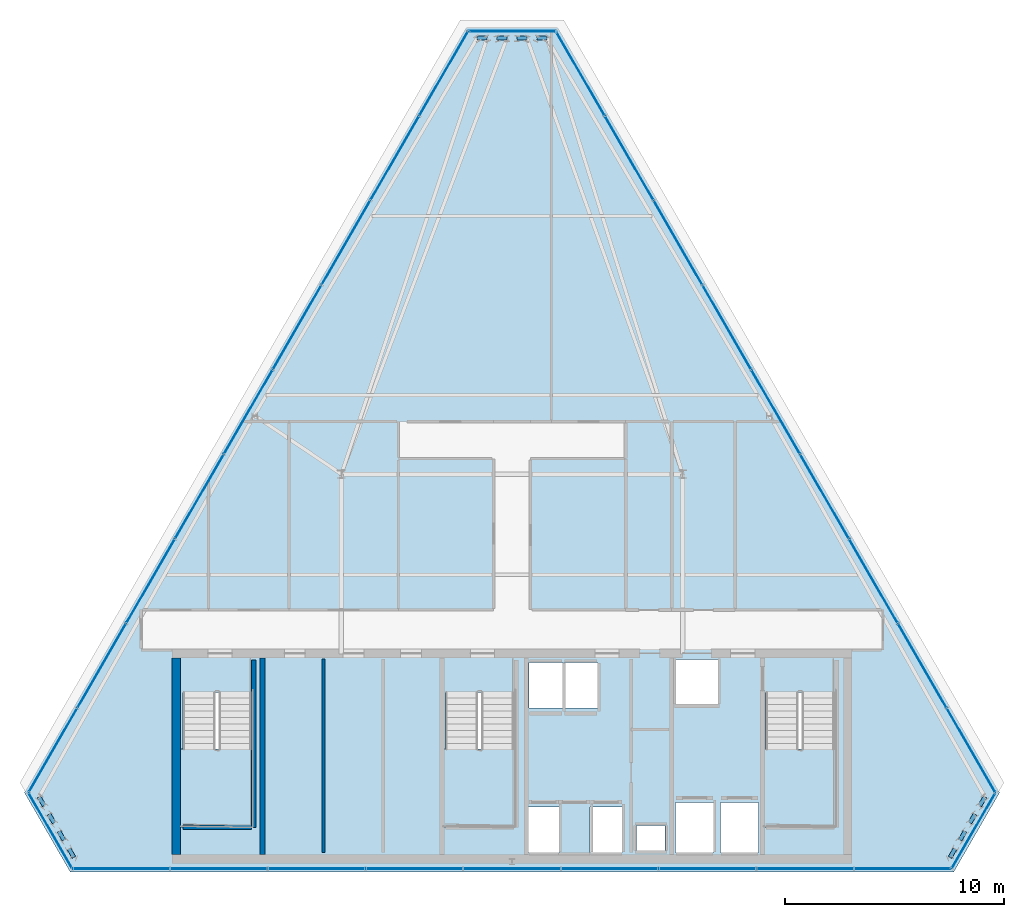
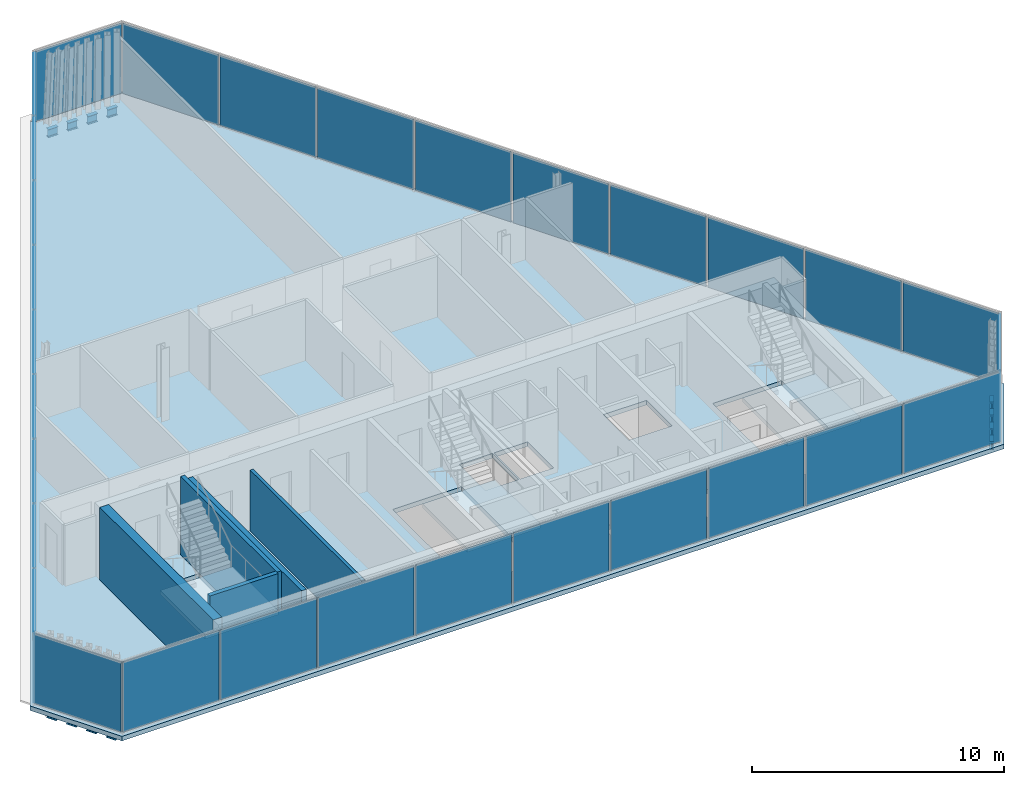
# One storey, part 26 of 32: 30 plates, 12 beams, 5 walls, 4 slabs, 9 elements without a shape of their own.
"""IFC4 building model written with IfcOpenShell, lengths in metres."""

from ifc_helpers import new_model, si_unit, direction, frame, frame_2d, origin, origin_2d, place, context, subcontext, project, spatial, polyline, rectangle, i_section, outline, extrude, material, layer, layer_set, material_profile, profile_set, type_object, element, aggregate, save


model = new_model("IFC4")

# Units and contexts
model_context = context("Model", 3, precision=1e-05, world=origin(), true_north=direction((0.0, 1.0)))
body_context = subcontext(model_context, "Body", "Model", "MODEL_VIEW")
ifc_project = project(units=[si_unit("LENGTHUNIT", "METRE"), si_unit("AREAUNIT", "SQUARE_METRE"), si_unit("VOLUMEUNIT", "CUBIC_METRE"), si_unit("PLANEANGLEUNIT", "RADIAN"), si_unit("MASSUNIT", "GRAM", prefix="KILO")], contexts=[model_context])

# Site, building, storey
site_placement = place(None, origin())
site = spatial("IfcSite", under=ifc_project, at=site_placement, CompositionType="ELEMENT")
building_placement = place(site_placement, origin())
building = spatial("IfcBuilding", under=site, at=building_placement, Name="Ndaravel Arena Tower", CompositionType="ELEMENT")
storey_placement = place(building_placement, frame((0.0, 0.0, 294.699951171875)))
storey = spatial("IfcBuildingStorey", under=building, at=storey_placement, Name="L72", CompositionType="ELEMENT", Elevation=294.699951171875)

# Beams
ifc_material_1 = material(Name="Steel S355", Category="steel")
ifc_material_profile = material_profile(ifc_material_1, i_section(OverallWidth=0.179931640625, OverallDepth=0.39990234375, WebThickness=0.008544921875, FlangeThickness=0.013427734375, FilletRadius=0.02099609375, at=origin_2d()), Name="IPE 400")
ifc_profile_set = profile_set([ifc_material_profile], Name="Steel S355")
beam_type = type_object("IfcBeamType", Name="BM-SPAN-IPE400", PredefinedType="SPANDREL", material=ifc_profile_set)
for number, where, z_axis, x_axis, name in (
    (1, (62.026611328125, 5.67724609375, -0.419921875), (0.499598698754, 0.866256971229, 0.0), (-0.866256971229, 0.499598698754, 0.0), "L72 Perimeter Spandrel Beam SP-02"),
    (2, (62.48193359375, 6.46630859375, -0.419921875), (0.500232934139, 0.865890877422, 0.0), (-0.865890877422, 0.500232934139, 0.0), "L72 Perimeter Spandrel Beam SP-04"),
):
    element("IfcBeam", number, at=place(storey_placement, frame(where, z_axis=z_axis, x_axis=x_axis)), inside=storey, type_object=beam_type, Name=name, PredefinedType="SPANDREL", context=body_context, shape_type="SweptSolid", body=[
        extrude(i_section(OverallWidth=0.179931640625, OverallDepth=0.39990234375, WebThickness=0.008544921875, FlangeThickness=0.013427734375, FilletRadius=0.02099609375, at=origin_2d()), origin(), (0.0, 0.0, 1.0), 0.455322265625),
    ])
beam_1_placement = place(storey_placement, frame((62.9375, 7.255126953125, -0.419921875), z_axis=(0.500000789788, 0.8660249478, 0.0), x_axis=(-0.8660249478, 0.500000789788, 0.0)))
element("IfcBeam", 3, at=beam_1_placement, inside=storey, type_object=beam_type, Name="L72 Perimeter Spandrel Beam SP-06", PredefinedType="SPANDREL", context=body_context, shape_type="SweptSolid", body=[
    extrude(i_section(OverallWidth=0.179931640625, OverallDepth=0.39990234375, WebThickness=0.008544921875, FlangeThickness=0.013427734375, FilletRadius=0.02099609375, at=origin_2d()), origin(), (0.0, 0.0, 1.0), 0.45556640625),
])
for number, where, z_axis, x_axis, name in (
    (4, (63.39306640625, 8.044189453125, -0.419921875), (0.499598698754, 0.866256971229, 0.0), (-0.866256971229, 0.499598698754, 0.0), "L72 Perimeter Spandrel Beam SP-08"),
    (5, (43.59423828125, 43.12548828125, -0.419921875), (-1.0, 0.0, 0.0), (0.0, -1.0, 0.0), "L72 Perimeter Spandrel Beam SP-11"),
):
    element("IfcBeam", number, at=place(storey_placement, frame(where, z_axis=z_axis, x_axis=x_axis)), inside=storey, type_object=beam_type, Name=name, PredefinedType="SPANDREL", context=body_context, shape_type="SweptSolid", body=[
        extrude(i_section(OverallWidth=0.179931640625, OverallDepth=0.39990234375, WebThickness=0.008544921875, FlangeThickness=0.013427734375, FilletRadius=0.02099609375, at=origin_2d()), origin(), (0.0, 0.0, 1.0), 0.455322265625),
    ])
for number, where, z_axis, x_axis, name in (
    (6, (42.683349609375, 43.12548828125, -0.419921875), (-1.0, 0.0, 0.0), (0.0, -1.0, 0.0), "L72 Perimeter Spandrel Beam SP-13"),
    (7, (41.772216796875, 43.12548828125, -0.419921875), (-1.0, 0.0, 0.0), (0.0, -1.0, 0.0), "L72 Perimeter Spandrel Beam SP-15"),
):
    element("IfcBeam", number, at=place(storey_placement, frame(where, z_axis=z_axis, x_axis=x_axis)), inside=storey, type_object=beam_type, Name=name, PredefinedType="SPANDREL", context=body_context, shape_type="SweptSolid", body=[
        extrude(i_section(OverallWidth=0.179931640625, OverallDepth=0.39990234375, WebThickness=0.008544921875, FlangeThickness=0.013427734375, FilletRadius=0.02099609375, at=origin_2d()), origin(), (0.0, 0.0, 1.0), 0.45556640625),
    ])
for number, where, z_axis, x_axis, name in (
    (8, (40.861083984375, 43.12548828125, -0.419921875), (-1.0, 0.0, 0.0), (0.0, -1.0, 0.0), "L72 Perimeter Spandrel Beam SP-17"),
    (9, (20.37939453125, 8.438720703125, -0.419921875), (0.499598698754, -0.866256971229, 0.0), (0.866256971229, 0.499598698754, 0.0), "L72 Perimeter Spandrel Beam SP-20"),
):
    element("IfcBeam", number, at=place(storey_placement, frame(where, z_axis=z_axis, x_axis=x_axis)), inside=storey, type_object=beam_type, Name=name, PredefinedType="SPANDREL", context=body_context, shape_type="SweptSolid", body=[
        extrude(i_section(OverallWidth=0.179931640625, OverallDepth=0.39990234375, WebThickness=0.008544921875, FlangeThickness=0.013427734375, FilletRadius=0.02099609375, at=origin_2d()), origin(), (0.0, 0.0, 1.0), 0.455322265625),
    ])
beam_2_placement = place(storey_placement, frame((20.834716796875, 7.649658203125, -0.419921875), z_axis=(0.500000789788, -0.8660249478, 0.0), x_axis=(0.8660249478, 0.500000789788, 0.0)))
element("IfcBeam", 10, at=beam_2_placement, inside=storey, type_object=beam_type, Name="L72 Perimeter Spandrel Beam SP-22", PredefinedType="SPANDREL", context=body_context, shape_type="SweptSolid", body=[
    extrude(i_section(OverallWidth=0.179931640625, OverallDepth=0.39990234375, WebThickness=0.008544921875, FlangeThickness=0.013427734375, FilletRadius=0.02099609375, at=origin_2d()), origin(), (0.0, 0.0, 1.0), 0.45556640625),
])
for number, where, z_axis, x_axis, name in (
    (11, (21.290283203125, 6.860595703125, -0.419921875), (0.500232934139, -0.865890877422, 0.0), (0.865890877422, 0.500232934139, 0.0), "L72 Perimeter Spandrel Beam SP-24"),
    (12, (21.745849609375, 6.07177734375, -0.419921875), (0.499598698754, -0.866256971229, 0.0), (0.866256971229, 0.499598698754, 0.0), "L72 Perimeter Spandrel Beam SP-26"),
):
    element("IfcBeam", number, at=place(storey_placement, frame(where, z_axis=z_axis, x_axis=x_axis)), inside=storey, type_object=beam_type, Name=name, PredefinedType="SPANDREL", context=body_context, shape_type="SweptSolid", body=[
        extrude(i_section(OverallWidth=0.179931640625, OverallDepth=0.39990234375, WebThickness=0.008544921875, FlangeThickness=0.013427734375, FilletRadius=0.02099609375, at=origin_2d()), origin(), (0.0, 0.0, 1.0), 0.455322265625),
    ])

# Curtain wall, plate
ifc_material_2 = material(Name="Aluminium", Category="aluminium")
ifc_layer_1 = layer(ifc_material_2, 0.179931640625)
ifc_layer_set_1 = layer_set([ifc_layer_1], Name="Aluminium")
curtain_wall_type_1 = type_object("IfcCurtainWallType", Name="CW-SYS-01", PredefinedType="NOTDEFINED", material=ifc_layer_set_1)
curtain_wall_1_placement = place(storey_placement, origin())
curtain_wall_1 = element("IfcCurtainWall", 13, at=curtain_wall_1_placement, inside=storey, type_object=curtain_wall_type_1, Name="L72 Faceted Crystal Curtain Wall CW-L72-E02", PredefinedType="NOTDEFINED")
ifc_material_3 = material(Name="Glazing", Category="glass")
ifc_layer_2 = layer(ifc_material_3, 0.031982421875)
ifc_layer_set_2 = layer_set([ifc_layer_2], Name="Glazing")
plate_type_1 = type_object("IfcPlateType", Name="PLT-GLZ-FRIT35", PredefinedType="CURTAIN_PANEL", material=ifc_layer_set_2)
plate_1_placement = place(storey_placement, frame((63.1005859375, 6.89794921875, 0.06005859375), z_axis=(0.0, 0.0, 1.0), x_axis=(0.5, 0.866025403784, 0.0)))
plate_1 = element("IfcPlate", 14, at=plate_1_placement, type_object=plate_type_1, Name="CW-L72-E02 Vision Glass Panel 01", PredefinedType="CURTAIN_PANEL", context=body_context, shape_type="SweptSolid", body=[
    extrude(rectangle(XDim=3.93359375, YDim=0.035888671875, at=origin_2d()), origin(), (0.0, 0.0, 1.0), 3.39990234375),
])
aggregate(curtain_wall_1, [plate_1])

curtain_wall_2_placement = place(storey_placement, origin())
curtain_wall_2 = element("IfcCurtainWall", 15, at=curtain_wall_2_placement, inside=storey, type_object=curtain_wall_type_1, Name="L72 Faceted Crystal Curtain Wall CW-L72-E04", PredefinedType="NOTDEFINED")
plate_2_placement = place(storey_placement, frame((42.0, 43.445556640625, 0.06005859375), z_axis=(0.0, 0.0, 1.0), x_axis=(-1.0, 0.0, 0.0)))
plate_2 = element("IfcPlate", 16, at=plate_2_placement, type_object=plate_type_1, Name="CW-L72-E04 Vision Glass Panel 01", PredefinedType="CURTAIN_PANEL", context=body_context, shape_type="SweptSolid", body=[
    extrude(rectangle(XDim=3.93359375, YDim=0.035888671875, at=origin_2d()), origin(), (0.0, 0.0, 1.0), 3.39990234375),
])
aggregate(curtain_wall_2, [plate_2])

ifc_material_4 = material(Name="Aluminium", Category="aluminium")
ifc_layer_3 = layer(ifc_material_4, 0.179931640625)
ifc_layer_set_3 = layer_set([ifc_layer_3], Name="Aluminium")
curtain_wall_type_2 = type_object("IfcCurtainWallType", Name="CW-SYS-02", PredefinedType="NOTDEFINED", material=ifc_layer_set_3)
curtain_wall_3_placement = place(storey_placement, origin())
curtain_wall_3 = element("IfcCurtainWall", 17, at=curtain_wall_3_placement, inside=storey, type_object=curtain_wall_type_2, Name="L72 Faceted Crystal Curtain Wall CW-L72-E06", PredefinedType="NOTDEFINED")
ifc_material_5 = material(Name="Glazing", Category="glass")
ifc_layer_4 = layer(ifc_material_5, 0.035888671875)
ifc_layer_set_4 = layer_set([ifc_layer_4], Name="Glazing")
plate_type_2 = type_object("IfcPlateType", Name="PLT-GLZ-FRIT55", PredefinedType="CURTAIN_PANEL", material=ifc_layer_set_4)
plate_3_placement = place(storey_placement, frame((20.8994140625, 6.89794921875, 0.06005859375), z_axis=(0.0, 0.0, 1.0), x_axis=(0.5, -0.866025403784, 0.0)))
plate_3 = element("IfcPlate", 18, at=plate_3_placement, type_object=plate_type_2, Name="CW-L72-E06 Vision Glass Panel 01", PredefinedType="CURTAIN_PANEL", context=body_context, shape_type="SweptSolid", body=[
    extrude(rectangle(XDim=3.93359375, YDim=0.035888671875, at=origin_2d()), origin(), (0.0, 0.0, 1.0), 3.39990234375),
])
aggregate(curtain_wall_3, [plate_3])

# Curtain wall, plates
ifc_material_6 = material(Name="Aluminium", Category="aluminium")
ifc_layer_5 = layer(ifc_material_6, 0.179931640625)
ifc_layer_set_5 = layer_set([ifc_layer_5], Name="Aluminium")
curtain_wall_type_3 = type_object("IfcCurtainWallType", Name="CW-SYS-03", PredefinedType="NOTDEFINED", material=ifc_layer_set_5)
curtain_wall_4_placement = place(storey_placement, origin())
curtain_wall_4 = element("IfcCurtainWall", 19, at=curtain_wall_4_placement, inside=storey, type_object=curtain_wall_type_3, Name="L72 Faceted Crystal Curtain Wall CW-L72-E01", PredefinedType="NOTDEFINED")
ifc_material_7 = material(Name="Glazing", Category="glass")
ifc_layer_6 = layer(ifc_material_7, 0.0400390625)
ifc_layer_set_6 = layer_set([ifc_layer_6], Name="Glazing")
plate_type_3 = type_object("IfcPlateType", Name="PLT-GLZ-LOWIRON", PredefinedType="CURTAIN_PANEL", material=ifc_layer_set_6)
plate_4_placement = place(storey_placement, frame((24.1357421875, 5.159912109375, 0.06005859375), z_axis=(0.0, 0.0, 1.0), x_axis=(1.0, 0.0, 0.0)))
plate_4 = element("IfcPlate", 20, at=plate_4_placement, type_object=plate_type_3, Name="CW-L72-E01 Vision Glass Panel 01", PredefinedType="CURTAIN_PANEL", context=body_context, shape_type="SweptSolid", body=[
    extrude(rectangle(XDim=4.385986328125, YDim=0.035888671875, at=origin_2d()), origin(), (0.0, 0.0, 1.0), 3.39990234375),
])
plate_5_placement = place(storey_placement, frame((28.601806640625, 5.159912109375, 0.06005859375), z_axis=(0.0, 0.0, 1.0), x_axis=(1.0, 0.0, 0.0)))
plate_5 = element("IfcPlate", 21, at=plate_5_placement, type_object=plate_type_3, Name="CW-L72-E01 Vision Glass Panel 02", PredefinedType="CURTAIN_PANEL", context=body_context, shape_type="SweptSolid", body=[
    extrude(rectangle(XDim=4.385986328125, YDim=0.035888671875, at=origin_2d()), origin(), (0.0, 0.0, 1.0), 3.39990234375),
])
plate_6_placement = place(storey_placement, frame((33.06787109375, 5.159912109375, 0.06005859375), z_axis=(0.0, 0.0, 1.0), x_axis=(1.0, 0.0, 0.0)))
plate_6 = element("IfcPlate", 22, at=plate_6_placement, type_object=plate_type_3, Name="CW-L72-E01 Vision Glass Panel 03", PredefinedType="CURTAIN_PANEL", context=body_context, shape_type="SweptSolid", body=[
    extrude(rectangle(XDim=4.385986328125, YDim=0.035888671875, at=origin_2d()), origin(), (0.0, 0.0, 1.0), 3.39990234375),
])
plate_7_placement = place(storey_placement, frame((37.533935546875, 5.159912109375, 0.06005859375), z_axis=(0.0, 0.0, 1.0), x_axis=(1.0, 0.0, 0.0)))
plate_7 = element("IfcPlate", 23, at=plate_7_placement, type_object=plate_type_3, Name="CW-L72-E01 Vision Glass Panel 04", PredefinedType="CURTAIN_PANEL", context=body_context, shape_type="SweptSolid", body=[
    extrude(rectangle(XDim=4.385986328125, YDim=0.035888671875, at=origin_2d()), origin(), (0.0, 0.0, 1.0), 3.39990234375),
])
plate_8_placement = place(storey_placement, frame((42.0, 5.159912109375, 0.06005859375), z_axis=(0.0, 0.0, 1.0), x_axis=(1.0, 0.0, 0.0)))
plate_8 = element("IfcPlate", 24, at=plate_8_placement, type_object=plate_type_3, Name="CW-L72-E01 Vision Glass Panel 05", PredefinedType="CURTAIN_PANEL", context=body_context, shape_type="SweptSolid", body=[
    extrude(rectangle(XDim=4.385986328125, YDim=0.035888671875, at=origin_2d()), origin(), (0.0, 0.0, 1.0), 3.39990234375),
])
plate_9_placement = place(storey_placement, frame((46.466064453125, 5.159912109375, 0.06005859375), z_axis=(0.0, 0.0, 1.0), x_axis=(1.0, 0.0, 0.0)))
plate_9 = element("IfcPlate", 25, at=plate_9_placement, type_object=plate_type_3, Name="CW-L72-E01 Vision Glass Panel 06", PredefinedType="CURTAIN_PANEL", context=body_context, shape_type="SweptSolid", body=[
    extrude(rectangle(XDim=4.385986328125, YDim=0.035888671875, at=origin_2d()), origin(), (0.0, 0.0, 1.0), 3.39990234375),
])
plate_10_placement = place(storey_placement, frame((50.93212890625, 5.159912109375, 0.06005859375), z_axis=(0.0, 0.0, 1.0), x_axis=(1.0, 0.0, 0.0)))
plate_10 = element("IfcPlate", 26, at=plate_10_placement, type_object=plate_type_3, Name="CW-L72-E01 Vision Glass Panel 07", PredefinedType="CURTAIN_PANEL", context=body_context, shape_type="SweptSolid", body=[
    extrude(rectangle(XDim=4.385986328125, YDim=0.035888671875, at=origin_2d()), origin(), (0.0, 0.0, 1.0), 3.39990234375),
])
plate_11_placement = place(storey_placement, frame((55.398193359375, 5.159912109375, 0.06005859375), z_axis=(0.0, 0.0, 1.0), x_axis=(1.0, 0.0, 0.0)))
plate_11 = element("IfcPlate", 27, at=plate_11_placement, type_object=plate_type_3, Name="CW-L72-E01 Vision Glass Panel 08", PredefinedType="CURTAIN_PANEL", context=body_context, shape_type="SweptSolid", body=[
    extrude(rectangle(XDim=4.385986328125, YDim=0.035888671875, at=origin_2d()), origin(), (0.0, 0.0, 1.0), 3.39990234375),
])
plate_12_placement = place(storey_placement, frame((59.8642578125, 5.159912109375, 0.06005859375), z_axis=(0.0, 0.0, 1.0), x_axis=(1.0, 0.0, 0.0)))
plate_12 = element("IfcPlate", 28, at=plate_12_placement, type_object=plate_type_3, Name="CW-L72-E01 Vision Glass Panel 09", PredefinedType="CURTAIN_PANEL", context=body_context, shape_type="SweptSolid", body=[
    extrude(rectangle(XDim=4.385986328125, YDim=0.035888671875, at=origin_2d()), origin(), (0.0, 0.0, 1.0), 3.39990234375),
])
aggregate(curtain_wall_4, [plate_4, plate_5, plate_6, plate_7, plate_8, plate_9, plate_10, plate_11, plate_12])

curtain_wall_5_placement = place(storey_placement, origin())
curtain_wall_5 = element("IfcCurtainWall", 29, at=curtain_wall_5_placement, inside=storey, type_object=curtain_wall_type_3, Name="L72 Faceted Crystal Curtain Wall CW-L72-E03", PredefinedType="NOTDEFINED")
plate_13_placement = place(storey_placement, frame((62.987548828125, 10.56982421875, 0.06005859375), z_axis=(0.0, 0.0, 1.0), x_axis=(-0.5, 0.866025403784, 0.0)))
plate_13 = element("IfcPlate", 30, at=plate_13_placement, type_object=plate_type_3, Name="CW-L72-E03 Vision Glass Panel 01", PredefinedType="CURTAIN_PANEL", context=body_context, shape_type="SweptSolid", body=[
    extrude(rectangle(XDim=4.385986328125, YDim=0.035888671875, at=origin_2d()), origin(), (0.0, 0.0, 1.0), 3.39990234375),
])
plate_14_placement = place(storey_placement, frame((60.754638671875, 14.4375, 0.06005859375), z_axis=(0.0, 0.0, 1.0), x_axis=(-0.5, 0.866025403784, 0.0)))
plate_14 = element("IfcPlate", 31, at=plate_14_placement, type_object=plate_type_3, Name="CW-L72-E03 Vision Glass Panel 02", PredefinedType="CURTAIN_PANEL", context=body_context, shape_type="SweptSolid", body=[
    extrude(rectangle(XDim=4.385986328125, YDim=0.035888671875, at=origin_2d()), origin(), (0.0, 0.0, 1.0), 3.39990234375),
])
plate_15_placement = place(storey_placement, frame((58.521484375, 18.30517578125, 0.06005859375), z_axis=(0.0, 0.0, 1.0), x_axis=(-0.5, 0.866025403784, 0.0)))
plate_15 = element("IfcPlate", 32, at=plate_15_placement, type_object=plate_type_3, Name="CW-L72-E03 Vision Glass Panel 03", PredefinedType="CURTAIN_PANEL", context=body_context, shape_type="SweptSolid", body=[
    extrude(rectangle(XDim=4.385986328125, YDim=0.035888671875, at=origin_2d()), origin(), (0.0, 0.0, 1.0), 3.39990234375),
])
plate_16_placement = place(storey_placement, frame((56.28857421875, 22.173095703125, 0.06005859375), z_axis=(0.0, 0.0, 1.0), x_axis=(-0.5, 0.866025403784, 0.0)))
plate_16 = element("IfcPlate", 33, at=plate_16_placement, type_object=plate_type_3, Name="CW-L72-E03 Vision Glass Panel 04", PredefinedType="CURTAIN_PANEL", context=body_context, shape_type="SweptSolid", body=[
    extrude(rectangle(XDim=4.385986328125, YDim=0.035888671875, at=origin_2d()), origin(), (0.0, 0.0, 1.0), 3.39990234375),
])
plate_17_placement = place(storey_placement, frame((54.055419921875, 26.040771484375, 0.06005859375), z_axis=(0.0, 0.0, 1.0), x_axis=(-0.5, 0.866025403784, 0.0)))
plate_17 = element("IfcPlate", 34, at=plate_17_placement, type_object=plate_type_3, Name="CW-L72-E03 Vision Glass Panel 05", PredefinedType="CURTAIN_PANEL", context=body_context, shape_type="SweptSolid", body=[
    extrude(rectangle(XDim=4.385986328125, YDim=0.035888671875, at=origin_2d()), origin(), (0.0, 0.0, 1.0), 3.39990234375),
])
plate_18_placement = place(storey_placement, frame((51.822509765625, 29.908447265625, 0.06005859375), z_axis=(0.0, 0.0, 1.0), x_axis=(-0.5, 0.866025403784, 0.0)))
plate_18 = element("IfcPlate", 35, at=plate_18_placement, type_object=plate_type_3, Name="CW-L72-E03 Vision Glass Panel 06", PredefinedType="CURTAIN_PANEL", context=body_context, shape_type="SweptSolid", body=[
    extrude(rectangle(XDim=4.385986328125, YDim=0.035888671875, at=origin_2d()), origin(), (0.0, 0.0, 1.0), 3.39990234375),
])
plate_19_placement = place(storey_placement, frame((49.58935546875, 33.776123046875, 0.06005859375), z_axis=(0.0, 0.0, 1.0), x_axis=(-0.5, 0.866025403784, 0.0)))
plate_19 = element("IfcPlate", 36, at=plate_19_placement, type_object=plate_type_3, Name="CW-L72-E03 Vision Glass Panel 07", PredefinedType="CURTAIN_PANEL", context=body_context, shape_type="SweptSolid", body=[
    extrude(rectangle(XDim=4.385986328125, YDim=0.035888671875, at=origin_2d()), origin(), (0.0, 0.0, 1.0), 3.39990234375),
])
plate_20_placement = place(storey_placement, frame((47.356201171875, 37.643798828125, 0.06005859375), z_axis=(0.0, 0.0, 1.0), x_axis=(-0.5, 0.866025403784, 0.0)))
plate_20 = element("IfcPlate", 37, at=plate_20_placement, type_object=plate_type_3, Name="CW-L72-E03 Vision Glass Panel 08", PredefinedType="CURTAIN_PANEL", context=body_context, shape_type="SweptSolid", body=[
    extrude(rectangle(XDim=4.385986328125, YDim=0.035888671875, at=origin_2d()), origin(), (0.0, 0.0, 1.0), 3.39990234375),
])
plate_21_placement = place(storey_placement, frame((45.123291015625, 41.51171875, 0.06005859375), z_axis=(0.0, 0.0, 1.0), x_axis=(-0.5, 0.866025403784, 0.0)))
plate_21 = element("IfcPlate", 38, at=plate_21_placement, type_object=plate_type_3, Name="CW-L72-E03 Vision Glass Panel 09", PredefinedType="CURTAIN_PANEL", context=body_context, shape_type="SweptSolid", body=[
    extrude(rectangle(XDim=4.385986328125, YDim=0.035888671875, at=origin_2d()), origin(), (0.0, 0.0, 1.0), 3.39990234375),
])
aggregate(curtain_wall_5, [plate_13, plate_14, plate_15, plate_16, plate_17, plate_18, plate_19, plate_20, plate_21])

curtain_wall_6_placement = place(storey_placement, origin())
curtain_wall_6 = element("IfcCurtainWall", 39, at=curtain_wall_6_placement, inside=storey, type_object=curtain_wall_type_3, Name="L72 Faceted Crystal Curtain Wall CW-L72-E05", PredefinedType="NOTDEFINED")
plate_22_placement = place(storey_placement, frame((38.876708984375, 41.51171875, 0.06005859375), z_axis=(0.0, 0.0, 1.0), x_axis=(-0.5, -0.866025403784, 0.0)))
plate_22 = element("IfcPlate", 40, at=plate_22_placement, type_object=plate_type_3, Name="CW-L72-E05 Vision Glass Panel 01", PredefinedType="CURTAIN_PANEL", context=body_context, shape_type="SweptSolid", body=[
    extrude(rectangle(XDim=4.385986328125, YDim=0.035888671875, at=origin_2d()), origin(), (0.0, 0.0, 1.0), 3.39990234375),
])
plate_23_placement = place(storey_placement, frame((36.643798828125, 37.643798828125, 0.06005859375), z_axis=(0.0, 0.0, 1.0), x_axis=(-0.5, -0.866025403784, 0.0)))
plate_23 = element("IfcPlate", 41, at=plate_23_placement, type_object=plate_type_3, Name="CW-L72-E05 Vision Glass Panel 02", PredefinedType="CURTAIN_PANEL", context=body_context, shape_type="SweptSolid", body=[
    extrude(rectangle(XDim=4.385986328125, YDim=0.035888671875, at=origin_2d()), origin(), (0.0, 0.0, 1.0), 3.39990234375),
])
plate_24_placement = place(storey_placement, frame((34.41064453125, 33.776123046875, 0.06005859375), z_axis=(0.0, 0.0, 1.0), x_axis=(-0.5, -0.866025403784, 0.0)))
plate_24 = element("IfcPlate", 42, at=plate_24_placement, type_object=plate_type_3, Name="CW-L72-E05 Vision Glass Panel 03", PredefinedType="CURTAIN_PANEL", context=body_context, shape_type="SweptSolid", body=[
    extrude(rectangle(XDim=4.385986328125, YDim=0.035888671875, at=origin_2d()), origin(), (0.0, 0.0, 1.0), 3.39990234375),
])
plate_25_placement = place(storey_placement, frame((32.177490234375, 29.908447265625, 0.06005859375), z_axis=(0.0, 0.0, 1.0), x_axis=(-0.5, -0.866025403784, 0.0)))
plate_25 = element("IfcPlate", 43, at=plate_25_placement, type_object=plate_type_3, Name="CW-L72-E05 Vision Glass Panel 04", PredefinedType="CURTAIN_PANEL", context=body_context, shape_type="SweptSolid", body=[
    extrude(rectangle(XDim=4.385986328125, YDim=0.035888671875, at=origin_2d()), origin(), (0.0, 0.0, 1.0), 3.39990234375),
])
plate_26_placement = place(storey_placement, frame((29.944580078125, 26.040771484375, 0.06005859375), z_axis=(0.0, 0.0, 1.0), x_axis=(-0.5, -0.866025403784, 0.0)))
plate_26 = element("IfcPlate", 44, at=plate_26_placement, type_object=plate_type_3, Name="CW-L72-E05 Vision Glass Panel 05", PredefinedType="CURTAIN_PANEL", context=body_context, shape_type="SweptSolid", body=[
    extrude(rectangle(XDim=4.385986328125, YDim=0.035888671875, at=origin_2d()), origin(), (0.0, 0.0, 1.0), 3.39990234375),
])
plate_27_placement = place(storey_placement, frame((27.71142578125, 22.173095703125, 0.06005859375), z_axis=(0.0, 0.0, 1.0), x_axis=(-0.5, -0.866025403784, 0.0)))
plate_27 = element("IfcPlate", 45, at=plate_27_placement, type_object=plate_type_3, Name="CW-L72-E05 Vision Glass Panel 06", PredefinedType="CURTAIN_PANEL", context=body_context, shape_type="SweptSolid", body=[
    extrude(rectangle(XDim=4.385986328125, YDim=0.035888671875, at=origin_2d()), origin(), (0.0, 0.0, 1.0), 3.39990234375),
])
plate_28_placement = place(storey_placement, frame((25.478515625, 18.30517578125, 0.06005859375), z_axis=(0.0, 0.0, 1.0), x_axis=(-0.5, -0.866025403784, 0.0)))
plate_28 = element("IfcPlate", 46, at=plate_28_placement, type_object=plate_type_3, Name="CW-L72-E05 Vision Glass Panel 07", PredefinedType="CURTAIN_PANEL", context=body_context, shape_type="SweptSolid", body=[
    extrude(rectangle(XDim=4.385986328125, YDim=0.035888671875, at=origin_2d()), origin(), (0.0, 0.0, 1.0), 3.39990234375),
])
plate_29_placement = place(storey_placement, frame((23.245361328125, 14.4375, 0.06005859375), z_axis=(0.0, 0.0, 1.0), x_axis=(-0.5, -0.866025403784, 0.0)))
plate_29 = element("IfcPlate", 47, at=plate_29_placement, type_object=plate_type_3, Name="CW-L72-E05 Vision Glass Panel 08", PredefinedType="CURTAIN_PANEL", context=body_context, shape_type="SweptSolid", body=[
    extrude(rectangle(XDim=4.385986328125, YDim=0.035888671875, at=origin_2d()), origin(), (0.0, 0.0, 1.0), 3.39990234375),
])
plate_30_placement = place(storey_placement, frame((21.012451171875, 10.56982421875, 0.06005859375), z_axis=(0.0, 0.0, 1.0), x_axis=(-0.5, -0.866025403784, 0.0)))
plate_30 = element("IfcPlate", 48, at=plate_30_placement, type_object=plate_type_3, Name="CW-L72-E05 Vision Glass Panel 09", PredefinedType="CURTAIN_PANEL", context=body_context, shape_type="SweptSolid", body=[
    extrude(rectangle(XDim=4.385986328125, YDim=0.035888671875, at=origin_2d()), origin(), (0.0, 0.0, 1.0), 3.39990234375),
])
aggregate(curtain_wall_6, [plate_22, plate_23, plate_24, plate_25, plate_26, plate_27, plate_28, plate_29, plate_30])

# Stair, slab
ifc_material_8 = material(Name="Concrete C40/50", Category="concrete")
stair_type = type_object("IfcStairType", Name="STAIR-CORE-HT", PredefinedType="HALF_TURN_STAIR", material=ifc_material_8)
stair_1_placement = place(storey_placement, origin())
stair_1 = element("IfcStair", 49, at=stair_1_placement, inside=storey, type_object=stair_type, Name="L72 ST-1", PredefinedType="HALF_TURN_STAIR")
ifc_material_9 = material(Name="Concrete C40/50", Category="concrete")
ifc_layer_7 = layer(ifc_material_9, 0.199951171875)
ifc_layer_set_7 = layer_set([ifc_layer_7], Name="Concrete C40/50")
slab_type_1 = type_object("IfcSlabType", Name="SLAB-STAIR-LANDING", PredefinedType="LANDING", material=ifc_layer_set_7)
slab_1_placement = place(storey_placement, frame((0.0, 0.0, 1.699951171875)))
slab_1 = element("IfcSlab", 50, at=slab_1_placement, type_object=slab_type_1, Name="ST-1 landing 1", PredefinedType="LANDING", context=body_context, shape_type="SweptSolid", body=[
    extrude(outline(polyline([(26.81005859375, 10.6298828125), (26.81005859375, 7.070068359375), (30.169921875, 7.070068359375), (30.169921875, 10.6298828125), (26.81005859375, 10.6298828125)])), origin(), (0.0, 0.0, 1.0), 0.2001953125),
])
aggregate(stair_1, [slab_1])

stair_2_placement = place(storey_placement, origin())
stair_2 = element("IfcStair", 51, at=stair_2_placement, inside=storey, type_object=stair_type, Name="L72 ST-2", PredefinedType="HALF_TURN_STAIR")
slab_2_placement = place(storey_placement, frame((0.0, 0.0, 1.699951171875)))
slab_2 = element("IfcSlab", 52, at=slab_2_placement, type_object=slab_type_1, Name="ST-2 landing 1", PredefinedType="LANDING", context=body_context, shape_type="SweptSolid", body=[
    extrude(outline(polyline([(38.81005859375, 10.6298828125), (38.81005859375, 7.070068359375), (42.169921875, 7.070068359375), (42.169921875, 10.6298828125), (38.81005859375, 10.6298828125)])), origin(), (0.0, 0.0, 1.0), 0.2001953125),
])
aggregate(stair_2, [slab_2])

stair_3_placement = place(storey_placement, origin())
stair_3 = element("IfcStair", 53, at=stair_3_placement, inside=storey, type_object=stair_type, Name="L72 ST-3", PredefinedType="HALF_TURN_STAIR")
slab_3_placement = place(storey_placement, frame((0.0, 0.0, 1.699951171875)))
slab_3 = element("IfcSlab", 54, at=slab_3_placement, type_object=slab_type_1, Name="ST-3 landing 1", PredefinedType="LANDING", context=body_context, shape_type="SweptSolid", body=[
    extrude(outline(polyline([(53.4599609375, 10.6298828125), (53.4599609375, 7.070068359375), (56.820068359375, 7.070068359375), (56.820068359375, 10.6298828125), (53.4599609375, 10.6298828125)])), origin(), (0.0, 0.0, 1.0), 0.2001953125),
])
aggregate(stair_3, [slab_3])

# Slab
ifc_material_10 = material(Name="Concrete C40/50", Category="concrete")
ifc_layer_8 = layer(ifc_material_10, 0.219970703125)
ifc_layer_set_8 = layer_set([ifc_layer_8], Name="Concrete C40/50")
slab_type_2 = type_object("IfcSlabType", Name="SLAB-TWR-220", PredefinedType="FLOOR", material=ifc_layer_set_8)
slab_4_placement = place(storey_placement, frame((0.0, 0.0, -0.219970703125)))
element("IfcSlab", 55, at=slab_4_placement, inside=storey, type_object=slab_type_2, Name="L72 Structural Floor Slab", PredefinedType="FLOOR", context=body_context, shape_type="SweptSolid", body=[
    extrude(outline(polyline([(19.711181640625, 8.635986328125), (21.810302734375, 5.0), (62.189697265625, 5.0), (64.288818359375, 8.635986328125), (44.09912109375, 43.60546875), (39.90087890625, 43.60546875), (19.711181640625, 8.635986328125)]), holes=[polyline([(26.949951171875, 13.215087890625), (26.949951171875, 7.14990234375), (30.090087890625, 7.14990234375), (30.090087890625, 13.215087890625), (26.949951171875, 13.215087890625)]), polyline([(38.949951171875, 13.215087890625), (38.949951171875, 7.14990234375), (42.090087890625, 7.14990234375), (42.090087890625, 13.215087890625), (38.949951171875, 13.215087890625)]), polyline([(53.60009765625, 13.215087890625), (53.60009765625, 7.14990234375), (56.739990234375, 7.14990234375), (56.739990234375, 13.215087890625), (53.60009765625, 13.215087890625)]), polyline([(42.659912109375, 5.909912109375), (44.139892578125, 5.909912109375), (44.139892578125, 7.989990234375), (42.659912109375, 7.989990234375), (42.659912109375, 5.909912109375)]), polyline([(45.56005859375, 5.909912109375), (47.0400390625, 5.909912109375), (47.0400390625, 7.989990234375), (45.56005859375, 7.989990234375), (45.56005859375, 5.909912109375)]), polyline([(42.784912109375, 12.510009765625), (44.31494140625, 12.510009765625), (44.31494140625, 14.590087890625), (42.784912109375, 14.590087890625), (42.784912109375, 12.510009765625)]), polyline([(44.385009765625, 12.510009765625), (45.9150390625, 12.510009765625), (45.9150390625, 14.590087890625), (44.385009765625, 14.590087890625), (44.385009765625, 12.510009765625)]), polyline([(49.485107421875, 5.909912109375), (51.215087890625, 5.909912109375), (51.215087890625, 8.18994140625), (49.485107421875, 8.18994140625), (49.485107421875, 5.909912109375)]), polyline([(51.534912109375, 5.909912109375), (53.264892578125, 5.909912109375), (53.264892578125, 8.18994140625), (51.534912109375, 8.18994140625), (51.534912109375, 5.909912109375)]), polyline([(49.4599609375, 12.68505859375), (51.43994140625, 12.68505859375), (51.43994140625, 14.715087890625), (49.4599609375, 14.715087890625), (49.4599609375, 12.68505859375)]), polyline([(47.699951171875, 6.0), (49.0, 6.0), (49.0, 7.139892578125), (47.699951171875, 7.139892578125), (47.699951171875, 6.0)])]), origin(), (0.0, 0.0, 1.0), 0.219970703125),
])

# Walls
ifc_material_11 = material(Name="Gypsum", Category="gypsum")
ifc_layer_9 = layer(ifc_material_11, 0.14990234375)
ifc_layer_set_9 = layer_set([ifc_layer_9], Name="Gypsum")
wall_type_1 = type_object("IfcWallType", Name="WALL-COMP-150", PredefinedType="PARTITIONING", material=ifc_layer_set_9)
wall_1_placement = place(storey_placement, frame((33.3798828125, 5.89990234375, 0.0), z_axis=(0.0, 0.0, 1.0), x_axis=(0.0, 1.0, 0.0)))
element("IfcWall", 56, at=wall_1_placement, inside=storey, type_object=wall_type_1, Name="L72 High-Zone Core Divider 1", PredefinedType="PARTITIONING", context=body_context, shape_type="SweptSolid", body=[
    extrude(rectangle(XDim=8.85009765625, YDim=0.14990234375, at=frame_2d((4.425048828125, 0.0))), origin(), (0.0, 0.0, 1.0), 2.950439453125),
])
ifc_material_12 = material(Name="Concrete C50/60", Category="concrete")
ifc_layer_10 = layer(ifc_material_12, 0.219970703125)
ifc_layer_set_10 = layer_set([ifc_layer_10], Name="Concrete C50/60")
wall_type_2 = type_object("IfcWallType", Name="WALL-CORE-220", PredefinedType="SOLIDWALL", material=ifc_layer_set_10)
wall_2_placement = place(storey_placement, frame((30.60009765625, 5.800048828125, 0.0), z_axis=(0.0, 0.0, 1.0), x_axis=(0.0, 1.0, 0.0)))
element("IfcWall", 57, at=wall_2_placement, inside=storey, type_object=wall_type_2, Name="L72 Core Web Shear Wall 1", PredefinedType="SOLIDWALL", context=body_context, shape_type="SweptSolid", body=[
    extrude(rectangle(XDim=9.0, YDim=0.219970703125, at=frame_2d((4.5, 0.0))), origin(), (0.0, 0.0, 1.0), 3.52001953125),
])
ifc_material_13 = material(Name="Concrete C50/60", Category="concrete")
ifc_layer_11 = layer(ifc_material_13, 0.39990234375)
ifc_layer_set_11 = layer_set([ifc_layer_11], Name="Concrete C50/60")
wall_type_3 = type_object("IfcWallType", Name="WALL-CORE-400", PredefinedType="SOLIDWALL", material=ifc_layer_set_11)
wall_3_placement = place(storey_placement, frame((26.64990234375, 5.800048828125, 0.0), z_axis=(0.0, 0.0, 1.0), x_axis=(0.0, 1.0, 0.0)))
element("IfcWall", 58, at=wall_3_placement, inside=storey, type_object=wall_type_3, Name="L72 Core West Shear Wall", PredefinedType="SOLIDWALL", context=body_context, shape_type="SweptSolid", body=[
    extrude(rectangle(XDim=9.0, YDim=0.39990234375, at=frame_2d((4.5, 0.0))), origin(), (0.0, 0.0, 1.0), 3.52001953125),
])
ifc_material_14 = material(Name="Concrete C40/50", Category="concrete")
ifc_layer_12 = layer(ifc_material_14, 0.199951171875)
ifc_layer_set_12 = layer_set([ifc_layer_12], Name="Concrete C40/50")
wall_type_4 = type_object("IfcWallType", Name="WALL-SHAFT-200", PredefinedType="SOLIDWALL", material=ifc_layer_set_12)
wall_4_placement = place(storey_placement, frame((30.18994140625, 14.699951171875, 0.0), z_axis=(0.0, 0.0, 1.0), x_axis=(0.0, -1.0, 0.0)))
element("IfcWall", 59, at=wall_4_placement, inside=storey, type_object=wall_type_4, Name="L72 ST-1 Structural Shaft Wall Right", PredefinedType="SOLIDWALL", context=body_context, shape_type="SweptSolid", body=[
    extrude(rectangle(XDim=7.64990234375, YDim=0.199951171875, at=frame_2d((3.824951171875, 0.0))), origin(), (0.0, 0.0, 1.0), 3.800048828125),
])
wall_5_placement = place(storey_placement, frame((26.969970703125, 7.050048828125, 0.0), z_axis=(0.0, 0.0, 1.0), x_axis=(1.0, 0.0, 0.0)))
element("IfcWall", 60, at=wall_5_placement, inside=storey, type_object=wall_type_4, Name="L72 ST-1 Structural Shaft Wall Far", PredefinedType="SOLIDWALL", context=body_context, shape_type="SweptSolid", body=[
    extrude(rectangle(XDim=3.114990234375, YDim=0.199951171875, at=frame_2d((1.5576171875, 0.0))), origin(), (0.0, 0.0, 1.0), 3.800048828125),
])

save(model, "model.ifc")
